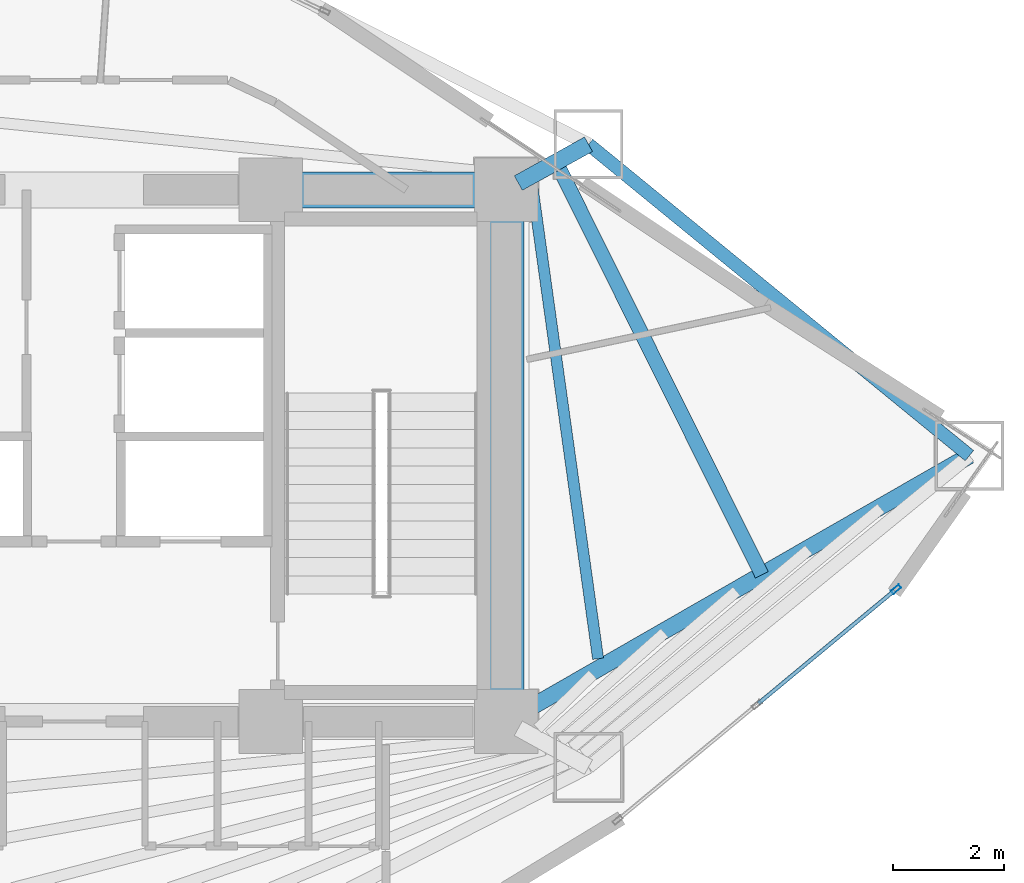
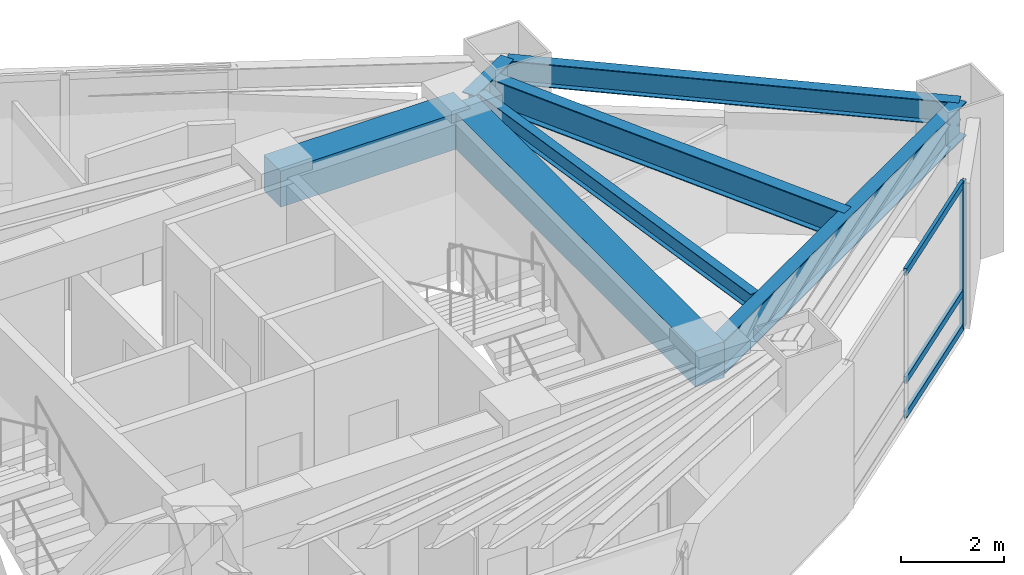
# One storey, part 17 of 25: 7 beams, 4 members, 1 element without a shape of its own.
"""IFC4 building model written with IfcOpenShell, lengths in metres."""

from ifc_helpers import new_model, si_unit, direction, frame, origin, origin_2d, place, context, subcontext, project, spatial, rectangle, hollow_rectangle, i_section, extrude, material, layer, layer_set, material_profile, profile_set, type_object, element, aggregate, save


model = new_model("IFC4")

# Units and contexts
model_context = context("Model", 3, precision=1e-05, world=origin(), true_north=direction((0.0, 1.0)))
body_context = subcontext(model_context, "Body", "Model", "MODEL_VIEW")
ifc_project = project(units=[si_unit("LENGTHUNIT", "METRE"), si_unit("AREAUNIT", "SQUARE_METRE"), si_unit("VOLUMEUNIT", "CUBIC_METRE"), si_unit("PLANEANGLEUNIT", "RADIAN"), si_unit("MASSUNIT", "GRAM", prefix="KILO")], contexts=[model_context])

# Site, building, storey
site_placement = place(None, origin())
site = spatial("IfcSite", under=ifc_project, at=site_placement, CompositionType="ELEMENT")
building_placement = place(site_placement, origin())
building = spatial("IfcBuilding", under=site, at=building_placement, Name="Menara Vayukalpa", CompositionType="ELEMENT")
storey_placement = place(building_placement, frame((0.0, 0.0, 115.139892578125)))
storey = spatial("IfcBuildingStorey", under=building, at=storey_placement, Name="L28", CompositionType="ELEMENT", Elevation=115.139892578125)

# Beams
ifc_material_1 = material(Name="Concrete C60/75", Category="concrete")
ifc_material_profile_1 = material_profile(ifc_material_1, rectangle(XDim=0.64990234375, YDim=0.85009765625, at=origin_2d()), Name="RC 650x850")
ifc_profile_set_1 = profile_set([ifc_material_profile_1], Name="Concrete C60/75")
beam_type_1 = type_object("IfcBeamType", Name="BM-CB1", PredefinedType="BEAM", material=ifc_profile_set_1)
beam_1_placement = place(storey_placement, frame((29.14990234375, 26.800048828125, 3.01513671875), z_axis=(1.0, 0.0, 0.0), x_axis=(0.0, 1.0, 0.0)))
element("IfcBeam", 1, at=beam_1_placement, inside=storey, type_object=beam_type_1, Name="L28 Core Tie Beam CBR6", PredefinedType="BEAM", context=body_context, shape_type="SweptSolid", body=[
    extrude(rectangle(XDim=0.64990234375, YDim=0.85009765625, at=origin_2d()), origin(), (0.0, 0.0, 1.0), 4.25),
])
beam_2_placement = place(storey_placement, frame((33.39990234375, 17.199951171875, 3.01513671875), z_axis=(0.0, 1.0, 0.0), x_axis=(-1.0, 0.0, 0.0)))
element("IfcBeam", 2, at=beam_2_placement, inside=storey, type_object=beam_type_1, Name="L28 Core Tie Beam CBR8", PredefinedType="BEAM", context=body_context, shape_type="SweptSolid", body=[
    extrude(rectangle(XDim=0.64990234375, YDim=0.85009765625, at=origin_2d()), origin(), (0.0, 0.0, 1.0), 9.60009765625),
])
ifc_material_2 = material(Name="Steel S355", Category="steel")
ifc_material_profile_2 = material_profile(ifc_material_2, i_section(OverallWidth=0.300048828125, OverallDepth=0.800048828125, WebThickness=0.013916015625, FlangeThickness=0.02587890625, at=origin_2d()), Name="WF 800x300x14x26")
ifc_profile_set_2 = profile_set([ifc_material_profile_2], Name="Steel S355")
beam_type_2 = type_object("IfcBeamType", Name="BM-PG3", PredefinedType="BEAM", material=ifc_profile_set_2)
beam_3_placement = place(storey_placement, frame((33.61669921875, 17.324462890625, 3.0400390625), z_axis=(0.867273673572, 0.497831673488, 0.0), x_axis=(-0.497831673488, 0.867273673572, 0.0)))
element("IfcBeam", 3, at=beam_3_placement, inside=storey, type_object=beam_type_2, Name="L28 Primary Radial Girder RG01", PredefinedType="BEAM", context=body_context, shape_type="SweptSolid", body=[
    extrude(i_section(OverallWidth=0.300048828125, OverallDepth=0.800048828125, WebThickness=0.013916015625, FlangeThickness=0.02587890625, at=origin_2d()), origin(), (0.0, 0.0, 1.0), 9.391845703125),
])
beam_4_placement = place(storey_placement, frame((33.618896484375, 26.9208984375, 3.0400390625), z_axis=(0.875228391676, 0.48370989488, 0.0), x_axis=(-0.48370989488, 0.875228391676, 0.0)))
element("IfcBeam", 4, at=beam_4_placement, inside=storey, type_object=beam_type_2, Name="L28 Primary Radial Girder RG02", PredefinedType="BEAM", context=body_context, shape_type="SweptSolid", body=[
    extrude(i_section(OverallWidth=0.300048828125, OverallDepth=0.800048828125, WebThickness=0.013916015625, FlangeThickness=0.02587890625, at=origin_2d()), origin(), (0.0, 0.0, 1.0), 1.448486328125),
])
ifc_material_3 = material(Name="Steel S460", Category="steel")
ifc_material_profile_3 = material_profile(ifc_material_3, i_section(OverallWidth=0.260009765625, OverallDepth=0.679931640625, WebThickness=0.012939453125, FlangeThickness=0.02197265625, at=origin_2d()), Name="WF 680x260x13x22")
ifc_profile_set_3 = profile_set([ifc_material_profile_3], Name="Steel S460")
beam_type_3 = type_object("IfcBeamType", Name="BM-SBG1", PredefinedType="BEAM", material=ifc_profile_set_3)
beam_5_placement = place(storey_placement, frame((38.01513671875, 19.849365234375, 3.10009765625), z_axis=(-0.445934263538, 0.895065714126, 0.0), x_axis=(-0.895065714126, -0.445934263538, 0.0)))
element("IfcBeam", 5, at=beam_5_placement, inside=storey, type_object=beam_type_3, Name="L28 SB2 Sky Bar Interior Tie Beam", PredefinedType="BEAM", context=body_context, shape_type="SweptSolid", body=[
    extrude(i_section(OverallWidth=0.260009765625, OverallDepth=0.679931640625, WebThickness=0.012939453125, FlangeThickness=0.02197265625, at=origin_2d()), origin(), (0.0, 0.0, 1.0), 8.3232421875),
])
ifc_material_4 = material(Name="Steel S355", Category="steel")
ifc_material_profile_4 = material_profile(ifc_material_4, i_section(OverallWidth=0.199951171875, OverallDepth=0.39990234375, WebThickness=0.008056640625, FlangeThickness=0.012939453125, at=origin_2d()), Name="WF 400x200x8x13")
ifc_profile_set_4 = profile_set([ifc_material_profile_4], Name="Steel S355")
beam_type_4 = type_object("IfcBeamType", Name="BM-SJ2", PredefinedType="JOIST", material=ifc_profile_set_4)
beam_6_placement = place(storey_placement, frame((35.0595703125, 18.33447265625, 3.239990234375), z_axis=(-0.137826740717, 0.990456354184, 0.0), x_axis=(-0.990456354184, -0.137826740717, 0.0)))
element("IfcBeam", 6, at=beam_6_placement, inside=storey, type_object=beam_type_4, Name="L28 Secondary Floor Joist SJ01-1", PredefinedType="JOIST", context=body_context, shape_type="SweptSolid", body=[
    extrude(i_section(OverallWidth=0.199951171875, OverallDepth=0.39990234375, WebThickness=0.008056640625, FlangeThickness=0.012939453125, at=origin_2d()), origin(), (0.0, 0.0, 1.0), 8.62646484375),
])
ifc_material_5 = material(Name="Steel S355", Category="steel")
ifc_material_profile_5 = material_profile(ifc_material_5, i_section(OverallWidth=0.239990234375, OverallDepth=0.550048828125, WebThickness=0.010986328125, FlangeThickness=0.01904296875, at=origin_2d()), Name="WF 550x240x11x19")
ifc_profile_set_5 = profile_set([ifc_material_profile_5], Name="Steel S355")
beam_type_5 = type_object("IfcBeamType", Name="BM-SP2", PredefinedType="SPANDREL", material=ifc_profile_set_5)
beam_7_placement = place(storey_placement, frame((41.761962890625, 22.0, 3.1650390625), z_axis=(-0.774156906301, 0.632993747541, 0.0), x_axis=(-0.632993747541, -0.774156906301, 0.0)))
element("IfcBeam", 7, at=beam_7_placement, inside=storey, type_object=beam_type_5, Name="L28 Perimeter Spandrel Beam SP01", PredefinedType="SPANDREL", context=body_context, shape_type="SweptSolid", body=[
    extrude(i_section(OverallWidth=0.239990234375, OverallDepth=0.550048828125, WebThickness=0.010986328125, FlangeThickness=0.01904296875, at=origin_2d()), origin(), (0.0, 0.0, 1.0), 8.880859375),
])

# Curtain wall, members
ifc_material_6 = material(Name="Anodised Terracotta Aluminium Alloy 6063-T6", Category="masonry")
ifc_layer = layer(ifc_material_6, 0.179931640625)
ifc_layer_set = layer_set([ifc_layer], Name="Anodised Terracotta Aluminium Alloy 6063-T6")
curtain_wall_type = type_object("IfcCurtainWallType", Name="CW-CW4", PredefinedType="USERDEFINED", material=ifc_layer_set)
curtain_wall_placement = place(storey_placement, origin())
curtain_wall = element("IfcCurtainWall", 8, at=curtain_wall_placement, inside=storey, type_object=curtain_wall_type, Name="L28 Sky Bar Cantilever Glazed Curtain Wall CW4 19", ObjectType="UNITISED", PredefinedType="USERDEFINED")
ifc_material_7 = material(Name="Anodised Terracotta Aluminium Alloy 6063-T6", Category="masonry")
ifc_material_profile_6 = material_profile(ifc_material_7, hollow_rectangle(XDim=0.074951171875, YDim=0.179931640625, WallThickness=0.00390625, at=origin_2d()), Name="ALU 75x180x4")
ifc_profile_set_6 = profile_set([ifc_material_profile_6], Name="Anodised Terracotta Aluminium Alloy 6063-T6")
member_type_1 = type_object("IfcMemberType", Name="CWM-CW4", PredefinedType="MULLION", material=ifc_profile_set_6)
member_1_placement = place(storey_placement, frame((40.438720703125, 19.58837890625, 0.0), z_axis=(0.0, 0.0, 1.0), x_axis=(-0.638345501574, 0.769749972797, 0.0)))
member_1 = element("IfcMember", 9, at=member_1_placement, type_object=member_type_1, Name="CW4 mullion 3", PredefinedType="MULLION", context=body_context, shape_type="SweptSolid", body=[
    extrude(hollow_rectangle(XDim=0.074951171875, YDim=0.179931640625, WallThickness=0.00390625, at=origin_2d()), origin(), (0.0, 0.0, 1.0), 3.440185546875),
])
ifc_material_8 = material(Name="Anodised Terracotta Aluminium Alloy 6063-T6", Category="masonry")
ifc_material_profile_7 = material_profile(ifc_material_8, hollow_rectangle(XDim=0.070068359375, YDim=0.1650390625, WallThickness=0.00390625, at=origin_2d()), Name="ALU 70x165x4")
ifc_profile_set_7 = profile_set([ifc_material_profile_7], Name="Anodised Terracotta Aluminium Alloy 6063-T6")
member_type_2 = type_object("IfcMemberType", Name="CWT-CW4", PredefinedType="USERDEFINED", material=ifc_profile_set_7)
member_2_placement = place(storey_placement, frame((37.955810546875, 17.529052734375, 0.03515625), z_axis=(0.769712991682, 0.638390092683, 0.0), x_axis=(-0.638390092683, 0.769712991682, 0.0)))
member_2 = element("IfcMember", 10, at=member_2_placement, type_object=member_type_2, Name="CW4 transom 2.1", ObjectType="TRANSOM", PredefinedType="USERDEFINED", context=body_context, shape_type="SweptSolid", body=[
    extrude(hollow_rectangle(XDim=0.070068359375, YDim=0.1650390625, WallThickness=0.00390625, at=origin_2d()), origin(), (0.0, 0.0, 1.0), 3.188232421875),
])
member_3_placement = place(storey_placement, frame((37.955810546875, 17.529052734375, 0.85009765625), z_axis=(0.769712991682, 0.638390092683, 0.0), x_axis=(-0.638390092683, 0.769712991682, 0.0)))
member_3 = element("IfcMember", 11, at=member_3_placement, type_object=member_type_2, Name="CW4 transom 2.2", ObjectType="TRANSOM", PredefinedType="USERDEFINED", context=body_context, shape_type="SweptSolid", body=[
    extrude(hollow_rectangle(XDim=0.070068359375, YDim=0.1650390625, WallThickness=0.00390625, at=origin_2d()), origin(), (0.0, 0.0, 1.0), 3.188232421875),
])
member_4_placement = place(storey_placement, frame((37.955810546875, 17.529052734375, 3.405029296875), z_axis=(0.769712991682, 0.638390092683, 0.0), x_axis=(-0.638390092683, 0.769712991682, 0.0)))
member_4 = element("IfcMember", 12, at=member_4_placement, type_object=member_type_2, Name="CW4 transom 2.3", ObjectType="TRANSOM", PredefinedType="USERDEFINED", context=body_context, shape_type="SweptSolid", body=[
    extrude(hollow_rectangle(XDim=0.070068359375, YDim=0.1650390625, WallThickness=0.00390625, at=origin_2d()), origin(), (0.0, 0.0, 1.0), 3.188232421875),
])
aggregate(curtain_wall, [member_1, member_2, member_3, member_4])

save(model, "model.ifc")
